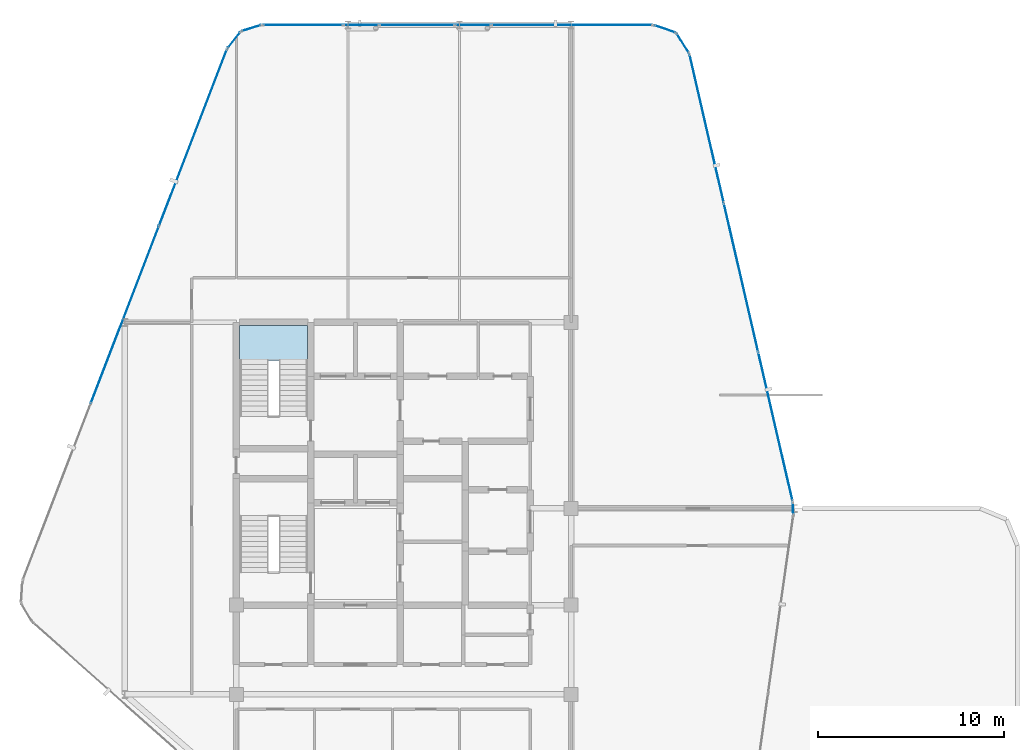
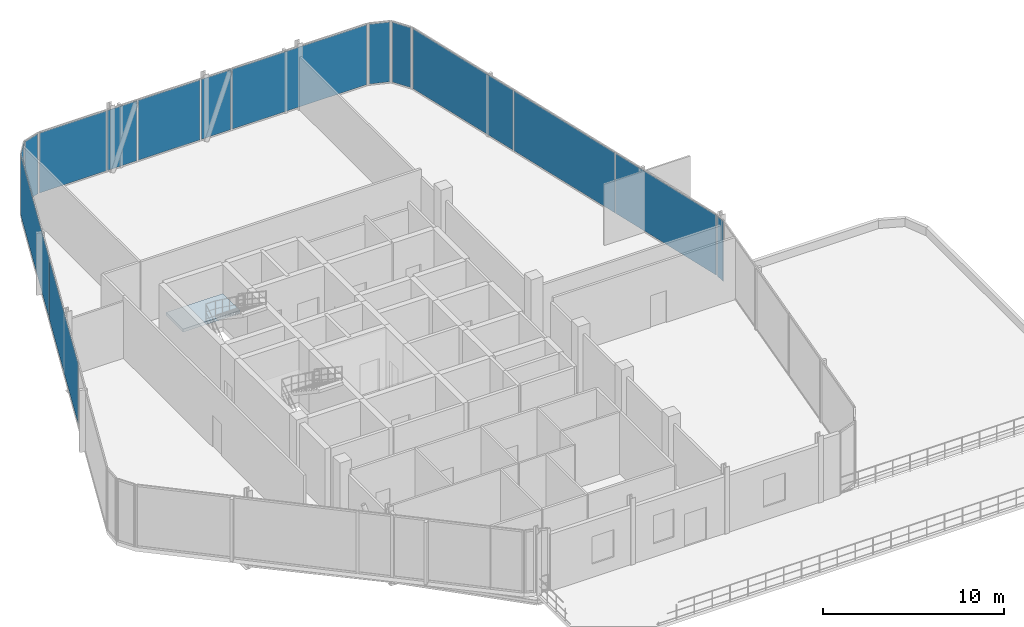
# One storey, part 19 of 24: 15 plates, 1 slab, 13 elements without a shape of their own.
"""IFC4 building model written with IfcOpenShell, lengths in metres."""

from ifc_helpers import new_model, si_unit, direction, frame, origin, origin_2d, place, context, subcontext, project, spatial, polyline, rectangle, outline, extrude, material, layer, layer_set, type_object, element, aggregate, save


model = new_model("IFC4")

# Units and contexts
model_context = context("Model", 3, precision=1e-05, world=origin(), true_north=direction((0.0, 1.0)))
body_context = subcontext(model_context, "Body", "Model", "MODEL_VIEW")
ifc_project = project(units=[si_unit("LENGTHUNIT", "METRE"), si_unit("AREAUNIT", "SQUARE_METRE"), si_unit("VOLUMEUNIT", "CUBIC_METRE"), si_unit("PLANEANGLEUNIT", "RADIAN"), si_unit("MASSUNIT", "GRAM", prefix="KILO")], contexts=[model_context])

# Site, building, storey
site_placement = place(None, origin())
site = spatial("IfcSite", under=ifc_project, at=site_placement, CompositionType="ELEMENT")
building_placement = place(site_placement, origin())
building = spatial("IfcBuilding", under=site, at=building_placement, Name="Keshet Zoharim Tower", CompositionType="ELEMENT")
storey_placement = place(building_placement, frame((0.0, 0.0, 242.800048828125)))
storey = spatial("IfcBuildingStorey", under=building, at=storey_placement, Name="L60", CompositionType="ELEMENT", Elevation=242.800048828125)

# Curtain wall, plates
ifc_material_1 = material(Name="Aluminium 6063-T6", Category="aluminium")
ifc_layer_1 = layer(ifc_material_1, 0.260009765625)
ifc_layer_set_1 = layer_set([ifc_layer_1], Name="Aluminium 6063-T6")
curtain_wall_type = type_object("IfcCurtainWallType", Name="CW-SYS-06", PredefinedType="NOTDEFINED", material=ifc_layer_set_1)
curtain_wall_1_placement = place(storey_placement, origin())
curtain_wall_1 = element("IfcCurtainWall", 1, at=curtain_wall_1_placement, inside=storey, type_object=curtain_wall_type, Name="L60 Unitised Curtain Wall 03", PredefinedType="NOTDEFINED")
ifc_material_2 = material(Name="Insulated Low-E Clear Glass", Category="glass")
ifc_layer_2 = layer(ifc_material_2, 0.028076171875)
ifc_layer_set_2 = layer_set([ifc_layer_2], Name="Insulated Low-E Clear Glass")
plate_type_1 = type_object("IfcPlateType", Name="CWP-03", PredefinedType="CURTAIN_PANEL", material=ifc_layer_set_2)
plate_1_placement = place(storey_placement, frame((9.001953125, 38.305419921875, 0.06982421875), z_axis=(0.0, 0.0, 1.0), x_axis=(0.358990003907, 0.933341404361, 0.0)))
plate_1 = element("IfcPlate", 2, at=plate_1_placement, type_object=plate_type_1, Name="CW-06 panel 2.1", PredefinedType="CURTAIN_PANEL", context=body_context, shape_type="SweptSolid", body=[
    extrude(rectangle(XDim=10.153076171875, YDim=0.028076171875, at=origin_2d()), origin(), (0.0, 0.0, 1.0), 4.050048828125),
])
plate_2_placement = place(storey_placement, frame((12.665771484375, 47.830810546875, 0.06982421875), z_axis=(0.0, 0.0, 1.0), x_axis=(0.358990003907, 0.933341404361, 0.0)))
plate_2 = element("IfcPlate", 3, at=plate_2_placement, type_object=plate_type_1, Name="CW-06 panel 3.1", PredefinedType="CURTAIN_PANEL", context=body_context, shape_type="SweptSolid", body=[
    extrude(rectangle(XDim=10.1181640625, YDim=0.028076171875, at=origin_2d()), origin(), (0.0, 0.0, 1.0), 4.050048828125),
])
aggregate(curtain_wall_1, [plate_1, plate_2])

# Curtain wall, plate
curtain_wall_2_placement = place(storey_placement, origin())
curtain_wall_2 = element("IfcCurtainWall", 4, at=curtain_wall_2_placement, inside=storey, type_object=curtain_wall_type, Name="L60 Unitised Curtain Wall 04", PredefinedType="NOTDEFINED")
plate_3_placement = place(storey_placement, frame((14.8740234375, 53.08349609375, 0.06982421875), z_axis=(0.0, 0.0, 1.0), x_axis=(0.619124525989, 0.785292825205, 0.0)))
plate_3 = element("IfcPlate", 5, at=plate_3_placement, type_object=plate_type_1, Name="CW-06 panel 1.1", PredefinedType="CURTAIN_PANEL", context=body_context, shape_type="SweptSolid", body=[
    extrude(rectangle(XDim=1.045654296875, YDim=0.028076171875, at=origin_2d()), origin(), (0.0, 0.0, 1.0), 4.050048828125),
])
aggregate(curtain_wall_2, [plate_3])

curtain_wall_3_placement = place(storey_placement, origin())
curtain_wall_3 = element("IfcCurtainWall", 6, at=curtain_wall_3_placement, inside=storey, type_object=curtain_wall_type, Name="L60 Unitised Curtain Wall 05", PredefinedType="NOTDEFINED")
plate_4_placement = place(storey_placement, frame((15.8076171875, 53.724609375, 0.06982421875), z_axis=(0.0, 0.0, 1.0), x_axis=(0.955212151288, 0.295921857984, 0.0)))
plate_4 = element("IfcPlate", 7, at=plate_4_placement, type_object=plate_type_1, Name="CW-06 panel 1.1", PredefinedType="CURTAIN_PANEL", context=body_context, shape_type="SweptSolid", body=[
    extrude(rectangle(XDim=1.046142578125, YDim=0.028076171875, at=origin_2d()), origin(), (0.0, 0.0, 1.0), 4.050048828125),
])
aggregate(curtain_wall_3, [plate_4])

curtain_wall_4_placement = place(storey_placement, origin())
curtain_wall_4 = element("IfcCurtainWall", 8, at=curtain_wall_4_placement, inside=storey, type_object=curtain_wall_type, Name="L60 Unitised Curtain Wall 06", PredefinedType="NOTDEFINED")
plate_5_placement = place(storey_placement, frame((18.57275390625, 53.89990234375, 0.06982421875), z_axis=(0.0, 0.0, 1.0), x_axis=(1.0, 0.0, 0.0)))
plate_5 = element("IfcPlate", 9, at=plate_5_placement, type_object=plate_type_1, Name="CW-06 panel 1.1", PredefinedType="CURTAIN_PANEL", context=body_context, shape_type="SweptSolid", body=[
    extrude(rectangle(XDim=4.257568359375, YDim=0.028076171875, at=origin_2d()), origin(), (0.0, 0.0, 1.0), 4.050048828125),
])
aggregate(curtain_wall_4, [plate_5])

curtain_wall_5_placement = place(storey_placement, origin())
curtain_wall_5 = element("IfcCurtainWall", 10, at=curtain_wall_5_placement, inside=storey, type_object=curtain_wall_type, Name="L60 Unitised Curtain Wall 06 Part 3", PredefinedType="NOTDEFINED")
plate_6_placement = place(storey_placement, frame((24.715087890625, 53.89990234375, 0.06982421875), z_axis=(0.0, 0.0, 1.0), x_axis=(1.0, 0.0, 0.0)))
plate_6 = element("IfcPlate", 11, at=plate_6_placement, type_object=plate_type_1, Name="CW-06 panel 1.1", PredefinedType="CURTAIN_PANEL", context=body_context, shape_type="SweptSolid", body=[
    extrude(rectangle(XDim=3.972900390625, YDim=0.028076171875, at=origin_2d()), origin(), (0.0, 0.0, 1.0), 4.050048828125),
])
aggregate(curtain_wall_5, [plate_6])

curtain_wall_6_placement = place(storey_placement, origin())
curtain_wall_6 = element("IfcCurtainWall", 12, at=curtain_wall_6_placement, inside=storey, type_object=curtain_wall_type, Name="L60 Unitised Curtain Wall 06 Part 5", PredefinedType="NOTDEFINED")
plate_7_placement = place(storey_placement, frame((33.03369140625, 53.89990234375, 0.06982421875), z_axis=(0.0, 0.0, 1.0), x_axis=(1.0, 0.0, 0.0)))
plate_7 = element("IfcPlate", 13, at=plate_7_placement, type_object=plate_type_1, Name="CW-06 panel 1.1", PredefinedType="CURTAIN_PANEL", context=body_context, shape_type="SweptSolid", body=[
    extrude(rectangle(XDim=8.610595703125, YDim=0.028076171875, at=origin_2d()), origin(), (0.0, 0.0, 1.0), 4.050048828125),
])
aggregate(curtain_wall_6, [plate_7])

curtain_wall_7_placement = place(storey_placement, origin())
curtain_wall_7 = element("IfcCurtainWall", 14, at=curtain_wall_7_placement, inside=storey, type_object=curtain_wall_type, Name="L60 Unitised Curtain Wall 07", PredefinedType="NOTDEFINED")
plate_8_placement = place(storey_placement, frame((38.031494140625, 53.6826171875, 0.06982421875), z_axis=(0.0, 0.0, 1.0), x_axis=(0.944035542119, -0.329843743636, 0.0)))
plate_8 = element("IfcPlate", 15, at=plate_8_placement, type_object=plate_type_1, Name="CW-06 panel 1.1", PredefinedType="CURTAIN_PANEL", context=body_context, shape_type="SweptSolid", body=[
    extrude(rectangle(XDim=1.1787109375, YDim=0.028076171875, at=origin_2d()), origin(), (0.0, 0.0, 1.0), 4.050048828125),
])
aggregate(curtain_wall_7, [plate_8])

curtain_wall_8_placement = place(storey_placement, origin())
curtain_wall_8 = element("IfcCurtainWall", 16, at=curtain_wall_8_placement, inside=storey, type_object=curtain_wall_type, Name="L60 Unitised Curtain Wall 08", PredefinedType="NOTDEFINED")
plate_9_placement = place(storey_placement, frame((39.006103515625, 52.907470703125, 0.06982421875), z_axis=(0.0, 0.0, 1.0), x_axis=(0.533878858502, -0.845560976183, 0.0)))
plate_9 = element("IfcPlate", 17, at=plate_9_placement, type_object=plate_type_1, Name="CW-06 panel 1.1", PredefinedType="CURTAIN_PANEL", context=body_context, shape_type="SweptSolid", body=[
    extrude(rectangle(XDim=1.1787109375, YDim=0.028076171875, at=origin_2d()), origin(), (0.0, 0.0, 1.0), 4.050048828125),
])
aggregate(curtain_wall_8, [plate_9])

# Curtain wall, plates
curtain_wall_9_placement = place(storey_placement, origin())
curtain_wall_9 = element("IfcCurtainWall", 18, at=curtain_wall_9_placement, inside=storey, type_object=curtain_wall_type, Name="L60 Unitised Curtain Wall 09", PredefinedType="NOTDEFINED")
plate_10_placement = place(storey_placement, frame((40.288330078125, 48.318359375, 0.06982421875), z_axis=(0.0, 0.0, 1.0), x_axis=(0.224829963294, -0.974398012932, 0.0)))
plate_10 = element("IfcPlate", 19, at=plate_10_placement, type_object=plate_type_1, Name="CW-06 panel 1.1", PredefinedType="CURTAIN_PANEL", context=body_context, shape_type="SweptSolid", body=[
    extrude(rectangle(XDim=8.13525390625, YDim=0.028076171875, at=origin_2d()), origin(), (0.0, 0.0, 1.0), 4.050048828125),
])
plate_11_placement = place(storey_placement, frame((42.136962890625, 40.305908203125, 0.06982421875), z_axis=(0.0, 0.0, 1.0), x_axis=(0.224829963294, -0.974398012932, 0.0)))
plate_11 = element("IfcPlate", 20, at=plate_11_placement, type_object=plate_type_1, Name="CW-06 panel 2.1", PredefinedType="CURTAIN_PANEL", context=body_context, shape_type="SweptSolid", body=[
    extrude(rectangle(XDim=8.17041015625, YDim=0.028076171875, at=origin_2d()), origin(), (0.0, 0.0, 1.0), 4.050048828125),
])
plate_12_placement = place(storey_placement, frame((43.98583984375, 32.293701171875, 0.06982421875), z_axis=(0.0, 0.0, 1.0), x_axis=(0.224829963294, -0.974398012932, 0.0)))
plate_12 = element("IfcPlate", 21, at=plate_12_placement, type_object=plate_type_1, Name="CW-06 panel 3.1", PredefinedType="CURTAIN_PANEL", context=body_context, shape_type="SweptSolid", body=[
    extrude(rectangle(XDim=8.13525390625, YDim=0.028076171875, at=origin_2d()), origin(), (0.0, 0.0, 1.0), 4.050048828125),
])
aggregate(curtain_wall_9, [plate_10, plate_11, plate_12])

# Curtain wall, plate
curtain_wall_10_placement = place(storey_placement, origin())
curtain_wall_10 = element("IfcCurtainWall", 22, at=curtain_wall_10_placement, inside=storey, type_object=curtain_wall_type, Name="L60 Unitised Curtain Wall 10", PredefinedType="NOTDEFINED")
plate_13_placement = place(storey_placement, frame((44.931884765625, 27.89697265625, 0.06982421875), z_axis=(0.0, 0.0, 1.0), x_axis=(0.043793560626, -0.999040601801, 0.0)))
plate_13 = element("IfcPlate", 23, at=plate_13_placement, type_object=plate_type_1, Name="CW-06 panel 1.1", PredefinedType="CURTAIN_PANEL", context=body_context, shape_type="SweptSolid", body=[
    extrude(rectangle(XDim=0.5908203125, YDim=0.028076171875, at=origin_2d()), origin(), (0.0, 0.0, 1.0), 4.050048828125),
])
aggregate(curtain_wall_10, [plate_13])

curtain_wall_11_placement = place(storey_placement, origin())
curtain_wall_11 = element("IfcCurtainWall", 24, at=curtain_wall_11_placement, inside=storey, type_object=curtain_wall_type, Name="L60 Unitised Curtain Wall 06 Part 2", PredefinedType="NOTDEFINED")
ifc_material_3 = material(Name="Insulated Aluminium Spandrel Panel", Category="aluminium")
ifc_layer_3 = layer(ifc_material_3, 0.028076171875)
ifc_layer_set_3 = layer_set([ifc_layer_3], Name="Insulated Aluminium Spandrel Panel")
plate_type_2 = type_object("IfcPlateType", Name="CWP-06", PredefinedType="CURTAIN_PANEL", material=ifc_layer_set_3)
plate_14_placement = place(storey_placement, frame((21.715087890625, 53.89990234375, 0.06982421875), z_axis=(0.0, 0.0, 1.0), x_axis=(1.0, 0.0, 0.0)))
plate_14 = element("IfcPlate", 25, at=plate_14_placement, type_object=plate_type_2, Name="CW-06 spandrel panel 1.1", PredefinedType="CURTAIN_PANEL", context=body_context, shape_type="SweptSolid", body=[
    extrude(rectangle(XDim=1.886962890625, YDim=0.028076171875, at=origin_2d()), origin(), (0.0, 0.0, 1.0), 4.050048828125),
])
aggregate(curtain_wall_11, [plate_14])

curtain_wall_12_placement = place(storey_placement, origin())
curtain_wall_12 = element("IfcCurtainWall", 26, at=curtain_wall_12_placement, inside=storey, type_object=curtain_wall_type, Name="L60 Unitised Curtain Wall 06 Part 4", PredefinedType="NOTDEFINED")
plate_15_placement = place(storey_placement, frame((27.715087890625, 53.89990234375, 0.06982421875), z_axis=(0.0, 0.0, 1.0), x_axis=(1.0, 0.0, 0.0)))
plate_15 = element("IfcPlate", 27, at=plate_15_placement, type_object=plate_type_2, Name="CW-06 spandrel panel 1.1", PredefinedType="CURTAIN_PANEL", context=body_context, shape_type="SweptSolid", body=[
    extrude(rectangle(XDim=1.886962890625, YDim=0.028076171875, at=origin_2d()), origin(), (0.0, 0.0, 1.0), 4.050048828125),
])
aggregate(curtain_wall_12, [plate_15])

# Stair, slab
ifc_material_4 = material(Name="Concrete C50/60", Category="concrete")
stair_type = type_object("IfcStairType", Name="STR-EXIT-135", PredefinedType="HALF_TURN_STAIR", material=ifc_material_4)
stair_placement = place(storey_placement, origin())
stair = element("IfcStair", 28, at=stair_placement, inside=storey, type_object=stair_type, Name="L60 Enclosed Exit Stair ST-02", PredefinedType="HALF_TURN_STAIR")
ifc_layer_4 = layer(ifc_material_4, 0.199951171875)
ifc_layer_set_4 = layer_set([ifc_layer_4], Name="Concrete C50/60")
slab_type = type_object("IfcSlabType", Name="SLB-LND-200", PredefinedType="LANDING", material=ifc_layer_set_4)
slab_placement = place(storey_placement, frame((0.0, 0.0, 2.050048828125)))
slab = element("IfcSlab", 29, at=slab_placement, type_object=slab_type, Name="ST-02 landing 1", PredefinedType="LANDING", context=body_context, shape_type="SweptSolid", body=[
    extrude(outline(polyline([(15.179931640625, 35.840087890625), (18.820068359375, 35.840087890625), (18.820068359375, 37.719970703125), (15.179931640625, 37.719970703125), (15.179931640625, 35.840087890625)])), origin(), (0.0, 0.0, 1.0), 0.199951171875),
])
aggregate(stair, [slab])

save(model, "model.ifc")
